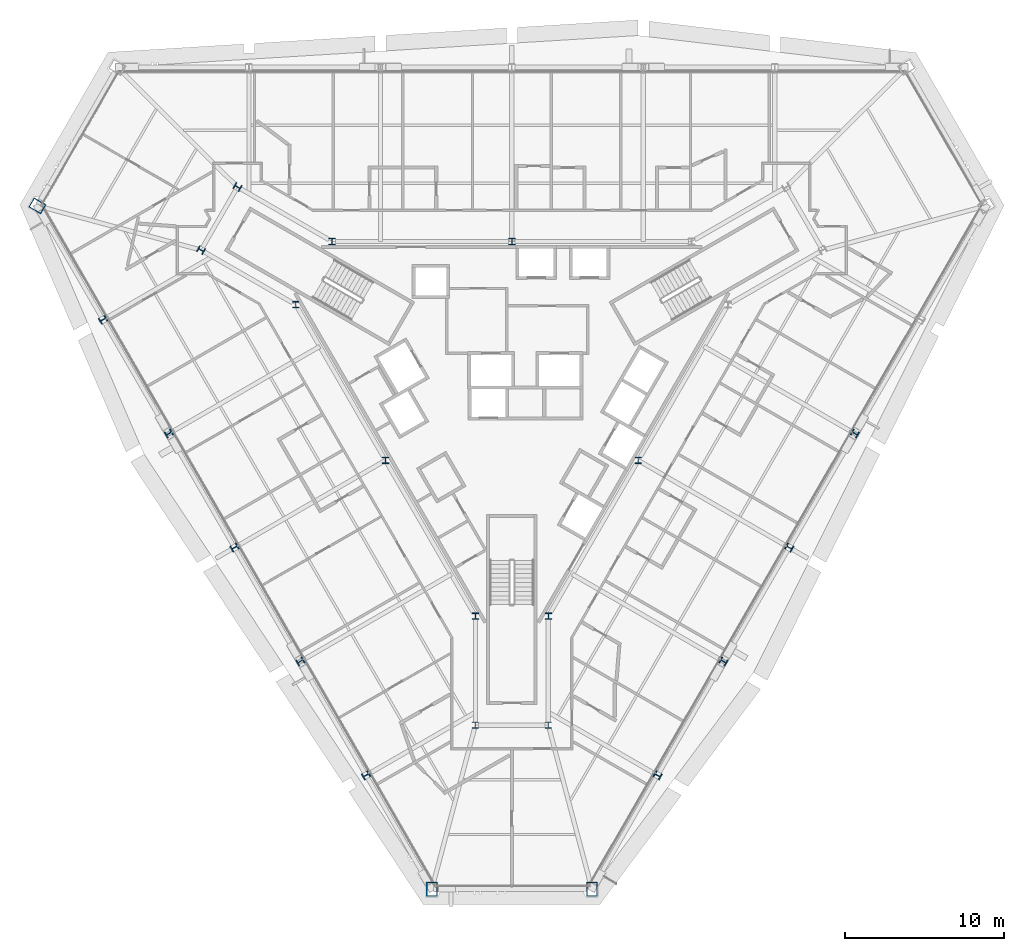
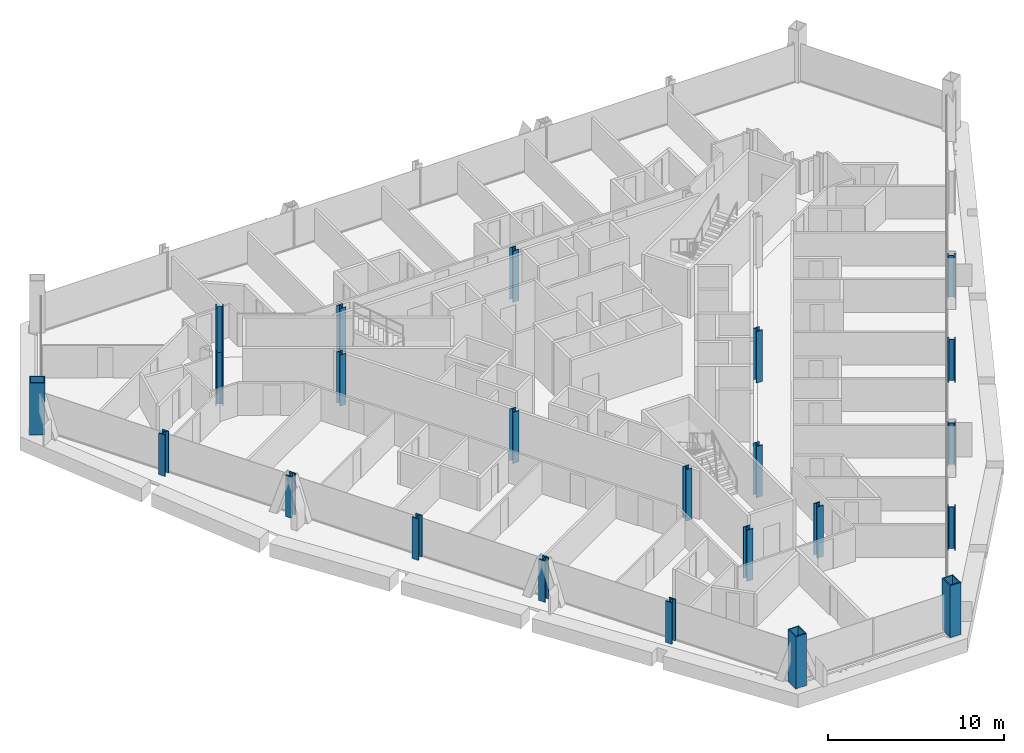
# One storey, part 1 of 17: 23 columns.
"""IFC4 building model written with IfcOpenShell, lengths in metres."""

from ifc_helpers import new_model, si_unit, direction, frame, origin, origin_2d, place, context, subcontext, project, spatial, hollow_rectangle, i_section, extrude, material, material_profile, profile_set, type_object, element, save


model = new_model("IFC4")

# Units and contexts
model_context = context("Model", 3, precision=1e-05, world=origin(), true_north=direction((0.0, 1.0)))
body_context = subcontext(model_context, "Body", "Model", "MODEL_VIEW")
ifc_project = project(units=[si_unit("LENGTHUNIT", "METRE"), si_unit("AREAUNIT", "SQUARE_METRE"), si_unit("VOLUMEUNIT", "CUBIC_METRE"), si_unit("PLANEANGLEUNIT", "RADIAN"), si_unit("MASSUNIT", "GRAM", prefix="KILO")], contexts=[model_context])

# Site, building, storey
site_placement = place(None, origin())
site = spatial("IfcSite", under=ifc_project, at=site_placement, CompositionType="ELEMENT")
building_placement = place(site_placement, origin())
building = spatial("IfcBuilding", under=site, at=building_placement, Name="Verrane Prism Tower", CompositionType="ELEMENT")
storey_placement = place(building_placement, frame((0.0, 0.0, 139.60009765625)))
storey = spatial("IfcBuildingStorey", under=building, at=storey_placement, Name="L34", CompositionType="ELEMENT", Elevation=139.60009765625)

# Columns
ifc_material_1 = material(Name="Steel A992", Category="steel")
ifc_material_profile_1 = material_profile(ifc_material_1, i_section(OverallWidth=0.411376953125, OverallDepth=0.434326171875, WebThickness=0.035888671875, FlangeThickness=0.057373046875, FilletRadius=0.01513671875, at=origin_2d()), Name="W14x311")
ifc_profile_set_1 = profile_set([ifc_material_profile_1], Name="Steel A992")
column_type_1 = type_object("IfcColumnType", Name="Core corner column W14x311", PredefinedType="COLUMN", material=ifc_profile_set_1)
for number, where, z_axis, x_axis, name in (
    (1, (-17.300048828125, 12.639892578125, 0.0), (0.0, 0.0, 1.0), (0.5, 0.866025403784, 0.0), "Core corner column CK-NWm L34"),
    (2, (-19.60009765625, 8.659912109375, 0.0), (0.0, 0.0, 1.0), (0.5, 0.866025403784, 0.0), "Core corner column CK-NWp L34"),
    (3, (-2.300048828125, -21.300048828125, 0.0), (0.0, 0.0, 1.0), (-1.0, 0.0, 0.0), "Core corner column CK-Sm L34"),
    (4, (2.300048828125, -21.300048828125, 0.0), (0.0, 0.0, 1.0), (-1.0, 0.0, 0.0), "Core corner column CK-Sp L34"),
):
    element("IfcColumn", number, at=place(storey_placement, frame(where, z_axis=z_axis, x_axis=x_axis)), inside=storey, type_object=column_type_1, Name=name, PredefinedType="COLUMN", context=body_context, shape_type="SweptSolid", body=[
        extrude(i_section(OverallWidth=0.411376953125, OverallDepth=0.434326171875, WebThickness=0.035888671875, FlangeThickness=0.057373046875, FilletRadius=0.01513671875, at=origin_2d()), origin(), (0.0, 0.0, 1.0), 3.544921875),
    ])
ifc_material_2 = material(Name="Steel A992", Category="steel")
ifc_material_profile_2 = material_profile(ifc_material_2, i_section(OverallWidth=0.4013671875, OverallDepth=0.398681640625, WebThickness=0.02490234375, FlangeThickness=0.03955078125, FilletRadius=0.01513671875, at=origin_2d()), Name="W14x211")
ifc_profile_set_2 = profile_set([ifc_material_profile_2], Name="Steel A992")
column_type_2 = type_object("IfcColumnType", Name="Core side column W14x211", PredefinedType="COLUMN", material=ifc_profile_set_2)
column_1_placement = place(storey_placement, frame((0.0, 9.199951171875, 0.0), z_axis=(0.0, 0.0, 1.0), x_axis=(1.0, 0.0, 0.0)))
element("IfcColumn", 5, at=column_1_placement, inside=storey, type_object=column_type_2, Name="Core side column CC-N0 L34", PredefinedType="COLUMN", context=body_context, shape_type="SweptSolid", body=[
    extrude(i_section(OverallWidth=0.4013671875, OverallDepth=0.398681640625, WebThickness=0.02490234375, FlangeThickness=0.03955078125, FilletRadius=0.01513671875, at=origin_2d()), origin(), (0.0, 0.0, 1.0), 3.56494140625),
])
for number, where, z_axis, x_axis, name in (
    (6, (-11.330078125, 9.199951171875, 0.0), (0.0, 0.0, 1.0), (1.0, 0.0, 0.0), "Core side column CC-NWm L34"),
    (7, (-13.6298828125, 5.219970703125, 0.0), (0.0, 0.0, 1.0), (1.0, 0.0, 0.0), "Core side column CC-NWp L34"),
):
    element("IfcColumn", number, at=place(storey_placement, frame(where, z_axis=z_axis, x_axis=x_axis)), inside=storey, type_object=column_type_2, Name=name, PredefinedType="COLUMN", context=body_context, shape_type="SweptSolid", body=[
        extrude(i_section(OverallWidth=0.4013671875, OverallDepth=0.398681640625, WebThickness=0.02490234375, FlangeThickness=0.03955078125, FilletRadius=0.01513671875, at=origin_2d()), origin(), (0.0, 0.0, 1.0), 3.534912109375),
    ])
column_2_placement = place(storey_placement, frame((-7.969970703125, -4.60009765625, 0.0), z_axis=(0.0, 0.0, 1.0), x_axis=(1.0, 0.0, 0.0)))
element("IfcColumn", 8, at=column_2_placement, inside=storey, type_object=column_type_2, Name="Core side column CC-SW0 L34", PredefinedType="COLUMN", context=body_context, shape_type="SweptSolid", body=[
    extrude(i_section(OverallWidth=0.4013671875, OverallDepth=0.398681640625, WebThickness=0.02490234375, FlangeThickness=0.03955078125, FilletRadius=0.01513671875, at=origin_2d()), origin(), (0.0, 0.0, 1.0), 3.559814453125),
])
for number, where, z_axis, x_axis, name in (
    (9, (-2.300048828125, -14.419921875, 0.0), (0.0, 0.0, 1.0), (1.0, 0.0, 0.0), "Core side column CC-Sm L34"),
    (10, (2.300048828125, -14.419921875, 0.0), (0.0, 0.0, 1.0), (1.0, 0.0, 0.0), "Core side column CC-Sp L34"),
):
    element("IfcColumn", number, at=place(storey_placement, frame(where, z_axis=z_axis, x_axis=x_axis)), inside=storey, type_object=column_type_2, Name=name, PredefinedType="COLUMN", context=body_context, shape_type="SweptSolid", body=[
        extrude(i_section(OverallWidth=0.4013671875, OverallDepth=0.398681640625, WebThickness=0.02490234375, FlangeThickness=0.03955078125, FilletRadius=0.01513671875, at=origin_2d()), origin(), (0.0, 0.0, 1.0), 3.5498046875),
    ])
column_3_placement = place(storey_placement, frame((7.969970703125, -4.60009765625, 0.0), z_axis=(0.0, 0.0, 1.0), x_axis=(1.0, 0.0, 0.0)))
element("IfcColumn", 11, at=column_3_placement, inside=storey, type_object=column_type_2, Name="Core side column CC-SE0 L34", PredefinedType="COLUMN", context=body_context, shape_type="SweptSolid", body=[
    extrude(i_section(OverallWidth=0.4013671875, OverallDepth=0.398681640625, WebThickness=0.02490234375, FlangeThickness=0.03955078125, FilletRadius=0.01513671875, at=origin_2d()), origin(), (0.0, 0.0, 1.0), 3.559814453125),
])
ifc_material_3 = material(Name="Steel A572 Grade 50", Category="steel")
ifc_material_profile_3 = material_profile(ifc_material_3, hollow_rectangle(XDim=0.699951171875, YDim=0.89990234375, WallThickness=0.06494140625, at=origin_2d()), Name="BOX 900x700x65")
ifc_profile_set_3 = profile_set([ifc_material_profile_3], Name="Steel A572 Grade 50")
column_type_3 = type_object("IfcColumnType", Name="Megacolumn BOX 900x700x65", PredefinedType="COLUMN", material=ifc_profile_set_3)
for number, where, z_axis, x_axis, name in (
    (12, (-29.919921875, 11.449951171875, 0.0), (0.0, 0.0, 1.0), (0.5, 0.866025403784, 0.0), "Megacolumn MC-NW.b L34"),
    (13, (-5.050048828125, -31.639892578125, 0.0), (0.0, 0.0, 1.0), (-1.0, 0.0, 0.0), "Megacolumn MC-S.a L34"),
    (14, (5.050048828125, -31.639892578125, 0.0), (0.0, 0.0, 1.0), (-1.0, 0.0, 0.0), "Megacolumn MC-S.b L34"),
):
    element("IfcColumn", number, at=place(storey_placement, frame(where, z_axis=z_axis, x_axis=x_axis)), inside=storey, type_object=column_type_3, Name=name, PredefinedType="COLUMN", context=body_context, shape_type="SweptSolid", body=[
        extrude(hollow_rectangle(XDim=0.699951171875, YDim=0.89990234375, WallThickness=0.06494140625, at=origin_2d()), origin(), (0.0, 0.0, 1.0), 3.599853515625),
    ])
ifc_material_4 = material(Name="Steel A992", Category="steel")
ifc_material_profile_4 = material_profile(ifc_material_4, i_section(OverallWidth=0.419189453125, OverallDepth=0.45458984375, WebThickness=0.042236328125, FlangeThickness=0.067626953125, FilletRadius=0.01513671875, at=origin_2d()), Name="W14x370")
ifc_profile_set_4 = profile_set([ifc_material_profile_4], Name="Steel A992")
column_type_4 = type_object("IfcColumnType", Name="Perimeter column W14x370", PredefinedType="COLUMN", material=ifc_profile_set_4)
for number, where, z_axis, x_axis, name in (
    (15, (-25.780029296875, 4.27001953125, 0.0), (0.0, 0.0, 1.0), (-0.5, 0.866025403784, 0.0), "Perimeter column PC-SW1 L34"),
    (16, (-21.6298828125, -2.909912109375, 0.0), (0.0, 0.0, 1.0), (-0.5, 0.866025403784, 0.0), "Perimeter column PC-SW2 L34"),
    (17, (-17.489990234375, -10.10009765625, 0.0), (0.0, 0.0, 1.0), (-0.5, 0.866025403784, 0.0), "Perimeter column PC-SW3 L34"),
    (18, (-13.340087890625, -17.280029296875, 0.0), (0.0, 0.0, 1.0), (-0.5, 0.866025403784, 0.0), "Perimeter column PC-SW4 L34"),
    (19, (-9.18994140625, -24.4599609375, 0.0), (0.0, 0.0, 1.0), (-0.5, 0.866025403784, 0.0), "Perimeter column PC-SW5 L34"),
    (20, (9.18994140625, -24.4599609375, 0.0), (0.0, 0.0, 1.0), (-0.5, -0.866025403784, 0.0), "Perimeter column PC-SE1 L34"),
    (21, (13.340087890625, -17.280029296875, 0.0), (0.0, 0.0, 1.0), (-0.5, -0.866025403784, 0.0), "Perimeter column PC-SE2 L34"),
    (22, (17.489990234375, -10.10009765625, 0.0), (0.0, 0.0, 1.0), (-0.5, -0.866025403784, 0.0), "Perimeter column PC-SE3 L34"),
    (23, (21.6298828125, -2.909912109375, 0.0), (0.0, 0.0, 1.0), (-0.5, -0.866025403784, 0.0), "Perimeter column PC-SE4 L34"),
):
    element("IfcColumn", number, at=place(storey_placement, frame(where, z_axis=z_axis, x_axis=x_axis)), inside=storey, type_object=column_type_4, Name=name, PredefinedType="COLUMN", context=body_context, shape_type="SweptSolid", body=[
        extrude(i_section(OverallWidth=0.419189453125, OverallDepth=0.45458984375, WebThickness=0.042236328125, FlangeThickness=0.067626953125, FilletRadius=0.01513671875, at=origin_2d()), origin(), (0.0, 0.0, 1.0), 2.869873046875),
    ])

save(model, "model.ifc")
